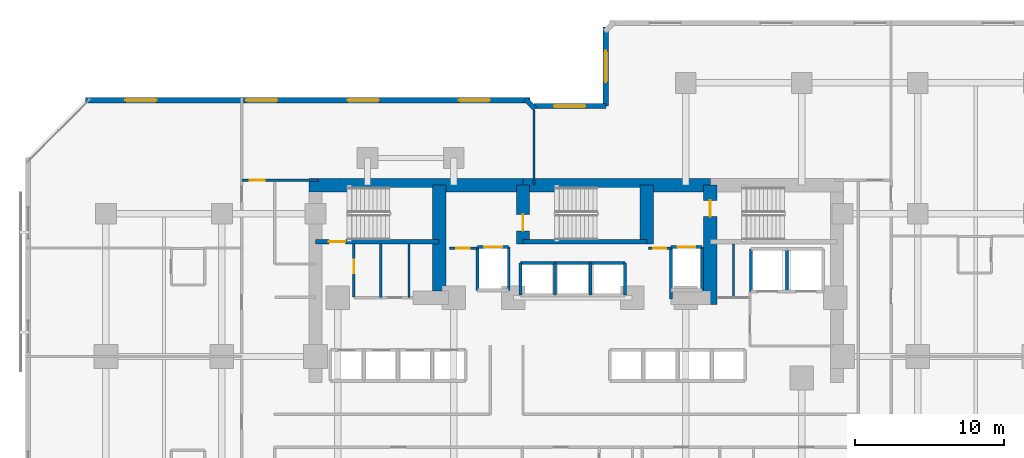
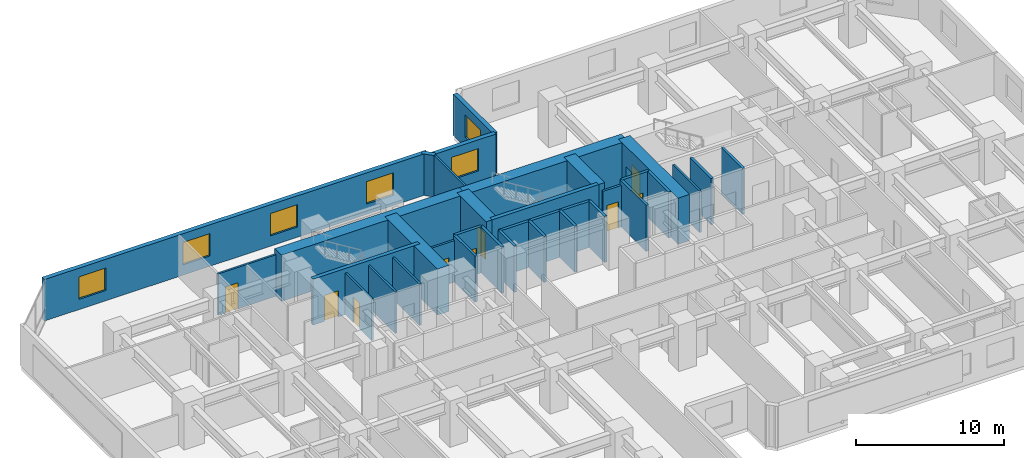
# One storey, part 7 of 11: 35 walls, 9 doors, 6 windows, 15 openings.
"""IFC4 building model written with IfcOpenShell, lengths in metres."""

from ifc_helpers import new_model, si_unit, direction, frame, frame_2d, origin, place, context, subcontext, project, spatial, rectangle, extrude, material, layer, layer_set, type_object, element, fill, save


model = new_model("IFC4")

# Units and contexts
model_context = context("Model", 3, precision=1e-05, world=origin(), true_north=direction((0.0, 1.0)))
body_context = subcontext(model_context, "Body", "Model", "MODEL_VIEW")
ifc_project = project(units=[si_unit("LENGTHUNIT", "METRE"), si_unit("AREAUNIT", "SQUARE_METRE"), si_unit("VOLUMEUNIT", "CUBIC_METRE"), si_unit("PLANEANGLEUNIT", "RADIAN"), si_unit("MASSUNIT", "GRAM", prefix="KILO")], contexts=[model_context])

# Site, building, storey
site_placement = place(None, origin())
site = spatial("IfcSite", under=ifc_project, at=site_placement, CompositionType="ELEMENT")
building_placement = place(site_placement, origin())
building = spatial("IfcBuilding", under=site, at=building_placement, Name="Kestravale Grand Hotel", CompositionType="ELEMENT")
storey_placement = place(building_placement, frame((0.0, 0.0, 71.60009765625)))
storey = spatial("IfcBuildingStorey", under=building, at=storey_placement, Name="L17", CompositionType="ELEMENT", Elevation=71.60009765625)

# Walls
ifc_material_1 = material(Name="Concrete f'c 70 MPa", Category="concrete")
ifc_layer_1 = layer(ifc_material_1, 0.89990234375)
ifc_layer_set_1 = layer_set([ifc_layer_1], Name="EW-CORE-900")
wall_type_1 = type_object("IfcWallType", Name="EW-CORE-900", PredefinedType="SHEAR", material=ifc_layer_set_1)
wall_1_placement = place(storey_placement, frame((21.449951171875, 40.320068359375, 0.0), z_axis=(0.0, 0.0, 1.0), x_axis=(1.0, 0.0, 0.0)))
element("IfcWall", 1, at=wall_1_placement, inside=storey, type_object=wall_type_1, Name="L17 core shear wall N1", PredefinedType="SHEAR", context=body_context, shape_type="SweptSolid", body=[
    extrude(rectangle(XDim=14.400146484375, YDim=0.89990234375, at=frame_2d((7.2001953125, 0.0))), origin(), (0.0, 0.0, 1.0), 3.7998046875),
])
wall_2_placement = place(storey_placement, frame((35.85009765625, 40.320068359375, 0.0), z_axis=(0.0, 0.0, 1.0), x_axis=(1.0, 0.0, 0.0)))
element("IfcWall", 2, at=wall_2_placement, inside=storey, type_object=wall_type_1, Name="L17 core shear wall N2", PredefinedType="SHEAR", context=body_context, shape_type="SweptSolid", body=[
    extrude(rectangle(XDim=12.599853515625, YDim=0.89990234375, at=frame_2d((6.2998046875, 0.0))), origin(), (0.0, 0.0, 1.0), 3.7998046875),
])
wall_3_placement = place(storey_placement, frame((30.219970703125, 33.199951171875, 0.0), z_axis=(0.0, 0.0, 1.0), x_axis=(0.0, 1.0, 0.0)))
element("IfcWall", 3, at=wall_3_placement, inside=storey, type_object=wall_type_1, Name="L17 core shear wall X1", PredefinedType="SHEAR", context=body_context, shape_type="SweptSolid", body=[
    extrude(rectangle(XDim=7.1201171875, YDim=0.89990234375, at=frame_2d((3.56005859375, 0.0))), origin(), (0.0, 0.0, 1.0), 3.7998046875),
])

# Wall, opening, door
wall_4_placement = place(storey_placement, frame((35.85009765625, 36.3701171875, 0.0), z_axis=(0.0, 0.0, 1.0), x_axis=(0.0, 1.0, 0.0)))
wall_4 = element("IfcWall", 4, at=wall_4_placement, inside=storey, type_object=wall_type_1, Name="L17 core shear wall X2", PredefinedType="SHEAR", context=body_context, shape_type="SweptSolid", body=[
    extrude(rectangle(XDim=3.949951171875, YDim=0.89990234375, at=frame_2d((1.97509765625, 0.0))), origin(), (0.0, 0.0, 1.0), 3.7998046875),
])
opening_1_placement = place(wall_4_placement, frame((0.8798828125, 0.0, 0.0)))
opening_1 = element("IfcOpeningElement", 5, at=opening_1_placement, cuts=wall_4, Name="Opening D-ST-1100", PredefinedType="OPENING", context=body_context, shape_type="SweptSolid", body=[
    extrude(rectangle(XDim=1.10009765625, YDim=2.14990234375, at=frame_2d((0.550048828125, 1.074951171875))), frame((0.0, 0.4599609375, 0.0), z_axis=(0.0, -1.0, 0.0), x_axis=(1.0, 0.0, 0.0)), (0.0, 0.0, 1.0), 0.919921875),
])
ifc_material_2 = material(Name="Galvanised 90-minute fire-rated steel stair door", Category="steel")
door_type_1 = type_object("IfcDoorType", Name="D-ST-1100", OperationType="NOTDEFINED", PredefinedType="DOOR", material=ifc_material_2)
door_1_placement = place(opening_1_placement, origin())
door_1 = element("IfcDoor", 6, at=door_1_placement, inside=storey, type_object=door_type_1, Name="L17 Stair ST-2 FSAE fire door", OperationType="SINGLE_SWING_RIGHT", OverallHeight=2.14990234375, OverallWidth=1.10009765625, PredefinedType="DOOR", context=body_context, shape_type="SweptSolid", body=[
    extrude(rectangle(XDim=1.10009765625, YDim=2.14990234375, at=frame_2d((0.550048828125, 1.074951171875))), frame((0.0, 0.02490234375, 0.0), z_axis=(0.0, -1.0, 0.0), x_axis=(1.0, 0.0, 0.0)), (0.0, 0.0, 1.0), 0.050048828125),
])
fill(opening_1, door_1)

# Wall
wall_5_placement = place(storey_placement, frame((44.179931640625, 36.3701171875, 0.0), z_axis=(0.0, 0.0, 1.0), x_axis=(0.0, 1.0, 0.0)))
element("IfcWall", 7, at=wall_5_placement, inside=storey, type_object=wall_type_1, Name="L17 core shear wall X3", PredefinedType="SHEAR", context=body_context, shape_type="SweptSolid", body=[
    extrude(rectangle(XDim=3.949951171875, YDim=0.89990234375, at=frame_2d((1.97509765625, 0.0))), origin(), (0.0, 0.0, 1.0), 3.7998046875),
])

# Wall, opening, door
wall_6_placement = place(storey_placement, frame((48.449951171875, 32.300048828125, 0.0), z_axis=(0.0, 0.0, 1.0), x_axis=(0.0, 1.0, 0.0)))
wall_6 = element("IfcWall", 8, at=wall_6_placement, inside=storey, type_object=wall_type_1, Name="L17 core shear wall X4", PredefinedType="SHEAR", context=body_context, shape_type="SweptSolid", body=[
    extrude(rectangle(XDim=8.02001953125, YDim=0.89990234375, at=frame_2d((4.010009765625, 0.0))), origin(), (0.0, 0.0, 1.0), 3.7998046875),
])
opening_2_placement = place(wall_6_placement, frame((5.89990234375, 0.0, 0.0)))
opening_2 = element("IfcOpeningElement", 9, at=opening_2_placement, cuts=wall_6, Name="Opening D-ST-1100", PredefinedType="OPENING", context=body_context, shape_type="SweptSolid", body=[
    extrude(rectangle(XDim=1.10009765625, YDim=2.14990234375, at=frame_2d((0.550048828125, 1.074951171875))), frame((0.0, 0.4599609375, 0.0), z_axis=(0.0, -1.0, 0.0), x_axis=(1.0, 0.0, 0.0)), (0.0, 0.0, 1.0), 0.919921875),
])
door_2_placement = place(opening_2_placement, origin())
door_2 = element("IfcDoor", 10, at=door_2_placement, inside=storey, type_object=door_type_1, Name="L17 Stair ST-3 FSAE fire door", OperationType="SINGLE_SWING_RIGHT", OverallHeight=2.14990234375, OverallWidth=1.10009765625, PredefinedType="DOOR", context=body_context, shape_type="SweptSolid", body=[
    extrude(rectangle(XDim=1.10009765625, YDim=2.14990234375, at=frame_2d((0.550048828125, 1.074951171875))), frame((0.0, 0.02490234375, 0.0), z_axis=(0.0, -1.0, 0.0), x_axis=(1.0, 0.0, 0.0)), (0.0, 0.0, 1.0), 0.050048828125),
])
fill(opening_2, door_2)

# Wall, opening, window
ifc_material_3 = material(Name="Precast concrete f'c 45 MPa", Category="concrete")
ifc_layer_2 = layer(ifc_material_3, 0.340087890625)
ifc_layer_set_2 = layer_set([ifc_layer_2], Name="EW-PREC-340")
wall_type_2 = type_object("IfcWallType", Name="EW-PREC-340", PredefinedType="SOLIDWALL", material=ifc_layer_set_2)
wall_7_placement = place(storey_placement, frame((41.419921875, 50.969970703125, 0.0), z_axis=(0.0, 0.0, 1.0), x_axis=(0.0, -1.0, 0.0)))
wall_7 = element("IfcWall", 11, at=wall_7_placement, inside=storey, type_object=wall_type_2, Name="L17 fluted precast facade wall 13", PredefinedType="SOLIDWALL", context=body_context, shape_type="SweptSolid", body=[
    extrude(rectangle(XDim=5.340087890625, YDim=0.340087890625, at=frame_2d((2.669921875, 0.0))), origin(), (0.0, 0.0, 1.0), 3.419921875),
])
opening_3_placement = place(wall_7_placement, frame((1.6201171875, 0.0, 0.85009765625)))
opening_3 = element("IfcOpeningElement", 12, at=opening_3_placement, cuts=wall_7, Name="Opening W-GUEST-2100", PredefinedType="OPENING", context=body_context, shape_type="SweptSolid", body=[
    extrude(rectangle(XDim=2.10009765625, YDim=1.85009765625, at=frame_2d((1.050048828125, 0.925048828125))), frame((0.0, 0.179931640625, 0.0), z_axis=(0.0, -1.0, 0.0), x_axis=(1.0, 0.0, 0.0)), (0.0, 0.0, 1.0), 0.360107421875),
])
ifc_material_4 = material(Name="Insulated low-E double glazing in aluminium frame", Category="aluminium")
window_type = type_object("IfcWindowType", Name="W-GUEST-2100", PartitioningType="DOUBLE_PANEL_VERTICAL", PredefinedType="WINDOW", material=ifc_material_4)
window_1_placement = place(opening_3_placement, origin())
window_1 = element("IfcWindow", 13, at=window_1_placement, inside=storey, type_object=window_type, Name="L17 exterior window 13.1", OverallHeight=1.85009765625, OverallWidth=2.10009765625, PartitioningType="SINGLE_PANEL", PredefinedType="WINDOW", context=body_context, shape_type="SweptSolid", body=[
    extrude(rectangle(XDim=2.10009765625, YDim=1.85009765625, at=frame_2d((1.050048828125, 0.925048828125))), frame((0.0, 0.030029296875, 0.0), z_axis=(0.0, -1.0, 0.0), x_axis=(1.0, 0.0, 0.0)), (0.0, 0.0, 1.0), 0.06005859375),
])
fill(opening_3, window_1)

wall_8_placement = place(storey_placement, frame((41.419921875, 45.6298828125, 0.0), z_axis=(0.0, 0.0, 1.0), x_axis=(-1.0, 0.0, 0.0)))
wall_8 = element("IfcWall", 14, at=wall_8_placement, inside=storey, type_object=wall_type_2, Name="L17 fluted precast facade wall 14", PredefinedType="SOLIDWALL", context=body_context, shape_type="SweptSolid", body=[
    extrude(rectangle(XDim=4.83984375, YDim=0.340087890625, at=frame_2d((2.419921875, 0.0))), origin(), (0.0, 0.0, 1.0), 3.419921875),
])
opening_4_placement = place(wall_8_placement, frame((1.3701171875, 0.0, 0.85009765625)))
opening_4 = element("IfcOpeningElement", 15, at=opening_4_placement, cuts=wall_8, Name="Opening W-GUEST-2100", PredefinedType="OPENING", context=body_context, shape_type="SweptSolid", body=[
    extrude(rectangle(XDim=2.10009765625, YDim=1.85009765625, at=frame_2d((1.050048828125, 0.925048828125))), frame((0.0, 0.179931640625, 0.0), z_axis=(0.0, -1.0, 0.0), x_axis=(1.0, 0.0, 0.0)), (0.0, 0.0, 1.0), 0.360107421875),
])
window_2_placement = place(opening_4_placement, origin())
window_2 = element("IfcWindow", 16, at=window_2_placement, inside=storey, type_object=window_type, Name="L17 exterior window 14.1", OverallHeight=1.85009765625, OverallWidth=2.10009765625, PartitioningType="SINGLE_PANEL", PredefinedType="WINDOW", context=body_context, shape_type="SweptSolid", body=[
    extrude(rectangle(XDim=2.10009765625, YDim=1.85009765625, at=frame_2d((1.050048828125, 0.925048828125))), frame((0.0, 0.030029296875, 0.0), z_axis=(0.0, -1.0, 0.0), x_axis=(1.0, 0.0, 0.0)), (0.0, 0.0, 1.0), 0.06005859375),
])
fill(opening_4, window_2)

# Wall
wall_9_placement = place(storey_placement, frame((36.658203125, 45.451416015625, 0.0), z_axis=(0.0, 0.0, 1.0), x_axis=(-0.707106781187, 0.707106781187, 0.0)))
element("IfcWall", 17, at=wall_9_placement, inside=storey, type_object=wall_type_2, Name="L17 fluted precast facade wall 16", PredefinedType="SOLIDWALL", context=body_context, shape_type="SweptSolid", body=[
    extrude(rectangle(XDim=0.9287109375, YDim=0.340087890625, at=frame_2d((0.46435546875, 0.0))), origin(), (0.0, 0.0, 1.0), 3.419921875),
])

# Wall, openings, windows
wall_10_placement = place(storey_placement, frame((36.320068359375, 46.030029296875, 0.0), z_axis=(0.0, 0.0, 1.0), x_axis=(-1.0, 0.0, 0.0)))
wall_10 = element("IfcWall", 18, at=wall_10_placement, inside=storey, type_object=wall_type_2, Name="L17 fluted precast facade wall 17", PredefinedType="SOLIDWALL", context=body_context, shape_type="SweptSolid", body=[
    extrude(rectangle(XDim=29.89013671875, YDim=0.340087890625, at=frame_2d((14.945068359375, 0.0))), origin(), (0.0, 0.0, 1.0), 3.419921875),
])
opening_5_placement = place(wall_10_placement, frame((2.686279296875, 0.0, 0.85009765625)))
opening_5 = element("IfcOpeningElement", 19, at=opening_5_placement, cuts=wall_10, Name="Opening W-GUEST-2100", PredefinedType="OPENING", context=body_context, shape_type="SweptSolid", body=[
    extrude(rectangle(XDim=2.10009765625, YDim=1.85009765625, at=frame_2d((1.050048828125, 0.925048828125))), frame((0.0, 0.179931640625, 0.0), z_axis=(0.0, -1.0, 0.0), x_axis=(1.0, 0.0, 0.0)), (0.0, 0.0, 1.0), 0.360107421875),
])
opening_6_placement = place(wall_10_placement, frame((10.15869140625, 0.0, 0.85009765625)))
opening_6 = element("IfcOpeningElement", 20, at=opening_6_placement, cuts=wall_10, Name="Opening W-GUEST-2100", PredefinedType="OPENING", context=body_context, shape_type="SweptSolid", body=[
    extrude(rectangle(XDim=2.10009765625, YDim=1.85009765625, at=frame_2d((1.050048828125, 0.925048828125))), frame((0.0, 0.179931640625, 0.0), z_axis=(0.0, -1.0, 0.0), x_axis=(1.0, 0.0, 0.0)), (0.0, 0.0, 1.0), 0.360107421875),
])
opening_7_placement = place(wall_10_placement, frame((16.981201171875, 0.0, 0.85009765625)))
opening_7 = element("IfcOpeningElement", 21, at=opening_7_placement, cuts=wall_10, Name="Opening W-GUEST-2100", PredefinedType="OPENING", context=body_context, shape_type="SweptSolid", body=[
    extrude(rectangle(XDim=2.10009765625, YDim=1.85009765625, at=frame_2d((1.050048828125, 0.925048828125))), frame((0.0, 0.179931640625, 0.0), z_axis=(0.0, -1.0, 0.0), x_axis=(1.0, 0.0, 0.0)), (0.0, 0.0, 1.0), 0.360107421875),
])
opening_8_placement = place(wall_10_placement, frame((25.103759765625, 0.0, 0.85009765625)))
opening_8 = element("IfcOpeningElement", 22, at=opening_8_placement, cuts=wall_10, Name="Opening W-GUEST-2100", PredefinedType="OPENING", context=body_context, shape_type="SweptSolid", body=[
    extrude(rectangle(XDim=2.10009765625, YDim=1.85009765625, at=frame_2d((1.050048828125, 0.925048828125))), frame((0.0, 0.179931640625, 0.0), z_axis=(0.0, -1.0, 0.0), x_axis=(1.0, 0.0, 0.0)), (0.0, 0.0, 1.0), 0.360107421875),
])
window_3_placement = place(opening_5_placement, origin())
window_3 = element("IfcWindow", 23, at=window_3_placement, inside=storey, type_object=window_type, Name="L17 exterior window 17.1", OverallHeight=1.85009765625, OverallWidth=2.10009765625, PartitioningType="SINGLE_PANEL", PredefinedType="WINDOW", context=body_context, shape_type="SweptSolid", body=[
    extrude(rectangle(XDim=2.10009765625, YDim=1.85009765625, at=frame_2d((1.050048828125, 0.925048828125))), frame((0.0, 0.030029296875, 0.0), z_axis=(0.0, -1.0, 0.0), x_axis=(1.0, 0.0, 0.0)), (0.0, 0.0, 1.0), 0.06005859375),
])
fill(opening_5, window_3)
window_4_placement = place(opening_6_placement, origin())
window_4 = element("IfcWindow", 24, at=window_4_placement, inside=storey, type_object=window_type, Name="L17 exterior window 17.2", OverallHeight=1.85009765625, OverallWidth=2.10009765625, PartitioningType="SINGLE_PANEL", PredefinedType="WINDOW", context=body_context, shape_type="SweptSolid", body=[
    extrude(rectangle(XDim=2.10009765625, YDim=1.85009765625, at=frame_2d((1.050048828125, 0.925048828125))), frame((0.0, 0.030029296875, 0.0), z_axis=(0.0, -1.0, 0.0), x_axis=(1.0, 0.0, 0.0)), (0.0, 0.0, 1.0), 0.06005859375),
])
fill(opening_6, window_4)
window_5_placement = place(opening_7_placement, origin())
window_5 = element("IfcWindow", 25, at=window_5_placement, inside=storey, type_object=window_type, Name="L17 exterior window 17.3", OverallHeight=1.85009765625, OverallWidth=2.10009765625, PartitioningType="SINGLE_PANEL", PredefinedType="WINDOW", context=body_context, shape_type="SweptSolid", body=[
    extrude(rectangle(XDim=2.10009765625, YDim=1.85009765625, at=frame_2d((1.050048828125, 0.925048828125))), frame((0.0, 0.030029296875, 0.0), z_axis=(0.0, -1.0, 0.0), x_axis=(1.0, 0.0, 0.0)), (0.0, 0.0, 1.0), 0.06005859375),
])
fill(opening_7, window_5)
window_6_placement = place(opening_8_placement, origin())
window_6 = element("IfcWindow", 26, at=window_6_placement, inside=storey, type_object=window_type, Name="L17 exterior window 17.4", OverallHeight=1.85009765625, OverallWidth=2.10009765625, PartitioningType="SINGLE_PANEL", PredefinedType="WINDOW", context=body_context, shape_type="SweptSolid", body=[
    extrude(rectangle(XDim=2.10009765625, YDim=1.85009765625, at=frame_2d((1.050048828125, 0.925048828125))), frame((0.0, 0.030029296875, 0.0), z_axis=(0.0, -1.0, 0.0), x_axis=(1.0, 0.0, 0.0)), (0.0, 0.0, 1.0), 0.06005859375),
])
fill(opening_8, window_6)

# Wall, opening, door
ifc_material_5 = material(Name="Concrete f'c 45 MPa", Category="concrete")
ifc_layer_3 = layer(ifc_material_5, 0.300048828125)
ifc_layer_set_3 = layer_set([ifc_layer_3], Name="EW-STAIR-300")
wall_type_3 = type_object("IfcWallType", Name="EW-STAIR-300", PredefinedType="SHEAR", material=ifc_layer_set_3)
wall_11_placement = place(storey_placement, frame((21.89990234375, 36.52001953125, 0.0), z_axis=(0.0, 0.0, 1.0), x_axis=(1.0, 0.0, 0.0)))
wall_11 = element("IfcWall", 27, at=wall_11_placement, inside=storey, type_object=wall_type_3, Name="L17 stair enclosure shear wall SST1", PredefinedType="SHEAR", context=body_context, shape_type="SweptSolid", body=[
    extrude(rectangle(XDim=8.320068359375, YDim=0.300048828125, at=frame_2d((4.16015625, 0.0))), origin(), (0.0, 0.0, 1.0), 3.7998046875),
])
opening_9_placement = place(wall_11_placement, frame((0.89990234375, 0.0, 0.0)))
opening_9 = element("IfcOpeningElement", 28, at=opening_9_placement, cuts=wall_11, Name="Opening D-ST-1100", PredefinedType="OPENING", context=body_context, shape_type="SweptSolid", body=[
    extrude(rectangle(XDim=1.10009765625, YDim=2.14990234375, at=frame_2d((0.550048828125, 1.074951171875))), frame((0.0, 0.159912109375, 0.0), z_axis=(0.0, -1.0, 0.0), x_axis=(1.0, 0.0, 0.0)), (0.0, 0.0, 1.0), 0.320068359375),
])
door_3_placement = place(opening_9_placement, origin())
door_3 = element("IfcDoor", 29, at=door_3_placement, inside=storey, type_object=door_type_1, Name="L17 Stair ST-1 fire door", OperationType="SINGLE_SWING_RIGHT", OverallHeight=2.14990234375, OverallWidth=1.10009765625, PredefinedType="DOOR", context=body_context, shape_type="SweptSolid", body=[
    extrude(rectangle(XDim=1.10009765625, YDim=2.14990234375, at=frame_2d((0.550048828125, 1.074951171875))), frame((0.0, 0.02490234375, 0.0), z_axis=(0.0, -1.0, 0.0), x_axis=(1.0, 0.0, 0.0)), (0.0, 0.0, 1.0), 0.050048828125),
])
fill(opening_9, door_3)

# Wall
wall_12_placement = place(storey_placement, frame((35.85009765625, 36.52001953125, 0.0), z_axis=(0.0, 0.0, 1.0), x_axis=(1.0, 0.0, 0.0)))
element("IfcWall", 30, at=wall_12_placement, inside=storey, type_object=wall_type_3, Name="L17 stair enclosure shear wall SST2", PredefinedType="SHEAR", context=body_context, shape_type="SweptSolid", body=[
    extrude(rectangle(XDim=8.329833984375, YDim=0.300048828125, at=frame_2d((4.1650390625, 0.0))), origin(), (0.0, 0.0, 1.0), 3.7998046875),
])

# Wall, opening, door
ifc_material_6 = material(Name="Acoustic fire-rated gypsum board partition", Category="other")
ifc_layer_4 = layer(ifc_material_6, 0.159912109375)
ifc_layer_set_4 = layer_set([ifc_layer_4], Name="IW-CORR-160")
wall_type_4 = type_object("IfcWallType", Name="IW-CORR-160", PredefinedType="PARTITIONING", material=ifc_layer_set_4)
wall_13_placement = place(storey_placement, frame((24.47998046875, 32.800048828125, 0.0), z_axis=(0.0, 0.0, 1.0), x_axis=(0.0, 1.0, 0.0)))
wall_13 = element("IfcWall", 31, at=wall_13_placement, inside=storey, type_object=wall_type_4, Name="L17 west core vestibule wall", PredefinedType="PARTITIONING", context=body_context, shape_type="SweptSolid", body=[
    extrude(rectangle(XDim=3.570068359375, YDim=0.159912109375, at=frame_2d((1.78515625, 0.0))), origin(), (0.0, 0.0, 1.0), 3.419921875),
])
opening_10_placement = place(wall_13_placement, frame((1.603515625, 0.0, 0.0)))
opening_10 = element("IfcOpeningElement", 32, at=opening_10_placement, cuts=wall_13, Name="Opening D-SH-900", PredefinedType="OPENING", context=body_context, shape_type="SweptSolid", body=[
    extrude(rectangle(XDim=0.89990234375, YDim=2.10009765625, at=frame_2d((0.449951171875, 1.050048828125))), frame((0.0, 0.08984375, 0.0), z_axis=(0.0, -1.0, 0.0), x_axis=(1.0, 0.0, 0.0)), (0.0, 0.0, 1.0), 0.179931640625),
])
ifc_material_7 = material(Name="Galvanised 90-minute shaft and service fire door", Category="steel")
door_type_2 = type_object("IfcDoorType", Name="D-SH-900", OperationType="NOTDEFINED", PredefinedType="DOOR", material=ifc_material_7)
door_4_placement = place(opening_10_placement, origin())
door_4 = element("IfcDoor", 33, at=door_4_placement, inside=storey, type_object=door_type_2, Name="D-L17-HK", OperationType="SINGLE_SWING_RIGHT", OverallHeight=2.10009765625, OverallWidth=0.89990234375, PredefinedType="DOOR", context=body_context, shape_type="SweptSolid", body=[
    extrude(rectangle(XDim=0.89990234375, YDim=2.10009765625, at=frame_2d((0.449951171875, 1.050048828125))), frame((0.0, 0.02490234375, 0.0), z_axis=(0.0, -1.0, 0.0), x_axis=(1.0, 0.0, 0.0)), (0.0, 0.0, 1.0), 0.050048828125),
])
fill(opening_10, door_4)

ifc_material_8 = material(Name="Fire-rated gypsum board on steel studs with mineral wool", Category="steel")
ifc_layer_5 = layer(ifc_material_8, 0.179931640625)
ifc_layer_set_5 = layer_set([ifc_layer_5], Name="IW-FSAE-180")
wall_type_5 = type_object("IfcWallType", Name="IW-FSAE-180", PredefinedType="PARTITIONING", material=ifc_layer_set_5)
wall_14_placement = place(storey_placement, frame((30.89990234375, 36.080078125, 0.0), z_axis=(0.0, 0.0, 1.0), x_axis=(1.0, 0.0, 0.0)))
wall_14 = element("IfcWall", 34, at=wall_14_placement, inside=storey, type_object=wall_type_5, Name="L17 FSAE Lobby 1 smoke barrier", PredefinedType="PARTITIONING", context=body_context, shape_type="SweptSolid", body=[
    extrude(rectangle(XDim=1.85009765625, YDim=0.179931640625, at=frame_2d((0.925048828125, 0.0))), origin(), (0.0, 0.0, 1.0), 3.419921875),
])
opening_11_placement = place(wall_14_placement, frame((0.47998046875, 0.0, 0.0)))
opening_11 = element("IfcOpeningElement", 35, at=opening_11_placement, cuts=wall_14, Name="Opening D-FSAE-1000", PredefinedType="OPENING", context=body_context, shape_type="SweptSolid", body=[
    extrude(rectangle(XDim=0.89990234375, YDim=2.14990234375, at=frame_2d((0.449951171875, 1.074951171875))), frame((0.0, 0.099853515625, 0.0), z_axis=(0.0, -1.0, 0.0), x_axis=(1.0, 0.0, 0.0)), (0.0, 0.0, 1.0), 0.199951171875),
])
ifc_material_9 = material(Name="Smoke-gasketed FSAE lobby fire door", Category="steel")
door_type_3 = type_object("IfcDoorType", Name="D-FSAE-1000", OperationType="NOTDEFINED", PredefinedType="DOOR", material=ifc_material_9)
door_5_placement = place(opening_11_placement, origin())
door_5 = element("IfcDoor", 36, at=door_5_placement, inside=storey, type_object=door_type_3, Name="L17 FSAE Lobby 1 fire door", OperationType="SINGLE_SWING_RIGHT", OverallHeight=2.14990234375, OverallWidth=0.89990234375, PredefinedType="DOOR", context=body_context, shape_type="SweptSolid", body=[
    extrude(rectangle(XDim=0.89990234375, YDim=2.14990234375, at=frame_2d((0.449951171875, 1.074951171875))), frame((0.0, 0.02490234375, 0.0), z_axis=(0.0, -1.0, 0.0), x_axis=(1.0, 0.0, 0.0)), (0.0, 0.0, 1.0), 0.050048828125),
])
fill(opening_11, door_5)

wall_15_placement = place(storey_placement, frame((44.300048828125, 36.080078125, 0.0), z_axis=(0.0, 0.0, 1.0), x_axis=(1.0, 0.0, 0.0)))
wall_15 = element("IfcWall", 37, at=wall_15_placement, inside=storey, type_object=wall_type_5, Name="L17 FSAE Lobby 2 smoke barrier", PredefinedType="PARTITIONING", context=body_context, shape_type="SweptSolid", body=[
    extrude(rectangle(XDim=1.5, YDim=0.179931640625, at=frame_2d((0.75, 0.0))), origin(), (0.0, 0.0, 1.0), 3.419921875),
])
opening_12_placement = place(wall_15_placement, frame((0.300048828125, 0.0, 0.0)))
opening_12 = element("IfcOpeningElement", 38, at=opening_12_placement, cuts=wall_15, Name="Opening D-FSAE-1000", PredefinedType="OPENING", context=body_context, shape_type="SweptSolid", body=[
    extrude(rectangle(XDim=0.89990234375, YDim=2.14990234375, at=frame_2d((0.449951171875, 1.074951171875))), frame((0.0, 0.099853515625, 0.0), z_axis=(0.0, -1.0, 0.0), x_axis=(1.0, 0.0, 0.0)), (0.0, 0.0, 1.0), 0.199951171875),
])
door_6_placement = place(opening_12_placement, origin())
door_6 = element("IfcDoor", 39, at=door_6_placement, inside=storey, type_object=door_type_3, Name="L17 FSAE Lobby 2 fire door", OperationType="SINGLE_SWING_LEFT", OverallHeight=2.14990234375, OverallWidth=0.89990234375, PredefinedType="DOOR", context=body_context, shape_type="SweptSolid", body=[
    extrude(rectangle(XDim=0.89990234375, YDim=2.14990234375, at=frame_2d((0.449951171875, 1.074951171875))), frame((0.0, 0.02490234375, 0.0), z_axis=(0.0, -1.0, 0.0), x_axis=(1.0, 0.0, 0.0)), (0.0, 0.0, 1.0), 0.050048828125),
])
fill(opening_12, door_6)

# Walls
ifc_material_10 = material(Name="Concrete f'c 45 MPa", Category="concrete")
ifc_layer_6 = layer(ifc_material_10, 0.199951171875)
ifc_layer_set_6 = layer_set([ifc_layer_6], Name="IW-SHAFT-200")
wall_type_6 = type_object("IfcWallType", Name="IW-SHAFT-200", PredefinedType="SHEAR", material=ifc_layer_set_6)
for number, where, z_axis, x_axis, name in (
    (40, (35.679931640625, 32.919921875, 0.0), (0.0, 0.0, 1.0), (0.0, 1.0, 0.0), "L17 PL-X1 west shaft wall"),
    (41, (38.0, 32.919921875, 0.0), (0.0, 0.0, 1.0), (0.0, 1.0, 0.0), "L17 PL-X2 west shaft wall"),
    (42, (40.39990234375, 32.919921875, 0.0), (0.0, 0.0, 1.0), (0.0, 1.0, 0.0), "L17 PL-X3 west shaft wall"),
    (43, (42.719970703125, 32.919921875, 0.0), (0.0, 0.0, 1.0), (0.0, 1.0, 0.0), "L17 PL-X3 east shaft wall"),
):
    element("IfcWall", number, at=place(storey_placement, frame(where, z_axis=z_axis, x_axis=x_axis)), inside=storey, type_object=wall_type_6, Name=name, PredefinedType="SHEAR", context=body_context, shape_type="SweptSolid", body=[
        extrude(rectangle(XDim=2.16015625, YDim=0.199951171875, at=frame_2d((1.080078125, 0.0))), origin(), (0.0, 0.0, 1.0), 3.7998046875),
    ])
for number, where, z_axis, x_axis, name in (
    (44, (51.179931640625, 33.169921875, 0.0), (0.0, 0.0, 1.0), (0.0, 1.0, 0.0), "L17 SL-1 west shaft wall"),
    (45, (53.60009765625, 33.169921875, 0.0), (0.0, 0.0, 1.0), (0.0, 1.0, 0.0), "L17 SL-2 west shaft wall"),
):
    element("IfcWall", number, at=place(storey_placement, frame(where, z_axis=z_axis, x_axis=x_axis)), inside=storey, type_object=wall_type_6, Name=name, PredefinedType="SHEAR", context=body_context, shape_type="SweptSolid", body=[
        extrude(rectangle(XDim=2.860107421875, YDim=0.199951171875, at=frame_2d((1.43017578125, 0.0))), origin(), (0.0, 0.0, 1.0), 3.7998046875),
    ])
for number, where, z_axis, x_axis, name in (
    (46, (32.804931640625, 33.2451171875, 0.0), (0.0, 0.0, 1.0), (0.0, 1.0, 0.0), "L17 FL-1 west shaft wall"),
    (47, (34.89501953125, 33.2451171875, 0.0), (0.0, 0.0, 1.0), (0.0, 1.0, 0.0), "L17 FL-1 east shaft wall"),
):
    element("IfcWall", number, at=place(storey_placement, frame(where, z_axis=z_axis, x_axis=x_axis)), inside=storey, type_object=wall_type_6, Name=name, PredefinedType="SHEAR", context=body_context, shape_type="SweptSolid", body=[
        extrude(rectangle(XDim=2.909912109375, YDim=0.199951171875, at=frame_2d((1.455078125, 0.0))), origin(), (0.0, 0.0, 1.0), 3.7998046875),
    ])
wall_16_placement = place(storey_placement, frame((45.804931640625, 32.64990234375, 0.0), z_axis=(0.0, 0.0, 1.0), x_axis=(0.0, 1.0, 0.0)))
element("IfcWall", 48, at=wall_16_placement, inside=storey, type_object=wall_type_6, Name="L17 FL-2 west shaft wall", PredefinedType="SHEAR", context=body_context, shape_type="SweptSolid", body=[
    extrude(rectangle(XDim=3.505126953125, YDim=0.199951171875, at=frame_2d((1.75244140625, 0.0))), origin(), (0.0, 0.0, 1.0), 3.7998046875),
])
wall_17_placement = place(storey_placement, frame((47.89501953125, 33.2451171875, 0.0), z_axis=(0.0, 0.0, 1.0), x_axis=(0.0, 1.0, 0.0)))
element("IfcWall", 49, at=wall_17_placement, inside=storey, type_object=wall_type_6, Name="L17 FL-2 east shaft wall", PredefinedType="SHEAR", context=body_context, shape_type="SweptSolid", body=[
    extrude(rectangle(XDim=2.909912109375, YDim=0.199951171875, at=frame_2d((1.455078125, 0.0))), origin(), (0.0, 0.0, 1.0), 3.7998046875),
])
ifc_material_11 = material(Name="Concrete f'c 45 MPa", Category="concrete")
ifc_layer_7 = layer(ifc_material_11, 0.219970703125)
ifc_layer_set_7 = layer_set([ifc_layer_7], Name="IW-SHAFT-220")
wall_type_7 = type_object("IfcWallType", Name="IW-SHAFT-220", PredefinedType="SHEAR", material=ifc_layer_set_7)
wall_18_placement = place(storey_placement, frame((35.679931640625, 35.080078125, 0.0), z_axis=(0.0, 0.0, 1.0), x_axis=(1.0, 0.0, 0.0)))
element("IfcWall", 50, at=wall_18_placement, inside=storey, type_object=wall_type_7, Name="L17 PL-X1 north shaft wall", PredefinedType="SHEAR", context=body_context, shape_type="SweptSolid", body=[
    extrude(rectangle(XDim=2.320068359375, YDim=0.219970703125, at=frame_2d((1.16015625, 0.0))), origin(), (0.0, 0.0, 1.0), 3.7998046875),
])
wall_19_placement = place(storey_placement, frame((38.0, 35.080078125, 0.0), z_axis=(0.0, 0.0, 1.0), x_axis=(1.0, 0.0, 0.0)))
element("IfcWall", 51, at=wall_19_placement, inside=storey, type_object=wall_type_7, Name="L17 PL-X2 north shaft wall", PredefinedType="SHEAR", context=body_context, shape_type="SweptSolid", body=[
    extrude(rectangle(XDim=2.39990234375, YDim=0.219970703125, at=frame_2d((1.199951171875, 0.0))), origin(), (0.0, 0.0, 1.0), 3.7998046875),
])
wall_20_placement = place(storey_placement, frame((40.39990234375, 35.080078125, 0.0), z_axis=(0.0, 0.0, 1.0), x_axis=(1.0, 0.0, 0.0)))
element("IfcWall", 52, at=wall_20_placement, inside=storey, type_object=wall_type_7, Name="L17 PL-X3 north shaft wall", PredefinedType="SHEAR", context=body_context, shape_type="SweptSolid", body=[
    extrude(rectangle(XDim=2.320068359375, YDim=0.219970703125, at=frame_2d((1.16015625, 0.0))), origin(), (0.0, 0.0, 1.0), 3.7998046875),
])

# Wall, opening, door
wall_21_placement = place(storey_placement, frame((32.804931640625, 36.155029296875, 0.0), z_axis=(0.0, 0.0, 1.0), x_axis=(1.0, 0.0, 0.0)))
wall_21 = element("IfcWall", 53, at=wall_21_placement, inside=storey, type_object=wall_type_7, Name="L17 FL-1 north shaft wall", PredefinedType="SHEAR", context=body_context, shape_type="SweptSolid", body=[
    extrude(rectangle(XDim=2.090087890625, YDim=0.219970703125, at=frame_2d((1.044921875, 0.0))), origin(), (0.0, 0.0, 1.0), 3.7998046875),
])
opening_13_placement = place(wall_21_placement, frame((0.445068359375, 0.0, 0.0)))
opening_13 = element("IfcOpeningElement", 54, at=opening_13_placement, cuts=wall_21, Name="Opening LD-FSAE-1200", PredefinedType="OPENING", context=body_context, shape_type="SweptSolid", body=[
    extrude(rectangle(XDim=1.199951171875, YDim=2.14990234375, at=frame_2d((0.60009765625, 1.074951171875))), frame((0.0, 0.119873046875, 0.0), z_axis=(0.0, -1.0, 0.0), x_axis=(1.0, 0.0, 0.0)), (0.0, 0.0, 1.0), 0.239990234375),
])
ifc_material_12 = material(Name="Stainless fire-service sliding elevator landing door", Category="steel")
door_type_4 = type_object("IfcDoorType", Name="LD-FSAE-1200", OperationType="NOTDEFINED", PredefinedType="DOOR", material=ifc_material_12)
door_7_placement = place(opening_13_placement, origin())
door_7 = element("IfcDoor", 55, at=door_7_placement, inside=storey, type_object=door_type_4, Name="L17 FL-1 elevator landing sliding door", OperationType="DOUBLE_DOOR_SLIDING", OverallHeight=2.14990234375, OverallWidth=1.199951171875, PredefinedType="DOOR", context=body_context, shape_type="SweptSolid", body=[
    extrude(rectangle(XDim=1.199951171875, YDim=2.14990234375, at=frame_2d((0.60009765625, 1.074951171875))), frame((0.0, 0.02490234375, 0.0), z_axis=(0.0, -1.0, 0.0), x_axis=(1.0, 0.0, 0.0)), (0.0, 0.0, 1.0), 0.050048828125),
])
fill(opening_13, door_7)

wall_22_placement = place(storey_placement, frame((45.804931640625, 36.155029296875, 0.0), z_axis=(0.0, 0.0, 1.0), x_axis=(1.0, 0.0, 0.0)))
wall_22 = element("IfcWall", 56, at=wall_22_placement, inside=storey, type_object=wall_type_7, Name="L17 FL-2 north shaft wall", PredefinedType="SHEAR", context=body_context, shape_type="SweptSolid", body=[
    extrude(rectangle(XDim=2.090087890625, YDim=0.219970703125, at=frame_2d((1.044921875, 0.0))), origin(), (0.0, 0.0, 1.0), 3.7998046875),
])
opening_14_placement = place(wall_22_placement, frame((0.445068359375, 0.0, 0.0)))
opening_14 = element("IfcOpeningElement", 57, at=opening_14_placement, cuts=wall_22, Name="Opening LD-FSAE-1200", PredefinedType="OPENING", context=body_context, shape_type="SweptSolid", body=[
    extrude(rectangle(XDim=1.199951171875, YDim=2.14990234375, at=frame_2d((0.60009765625, 1.074951171875))), frame((0.0, 0.119873046875, 0.0), z_axis=(0.0, -1.0, 0.0), x_axis=(1.0, 0.0, 0.0)), (0.0, 0.0, 1.0), 0.239990234375),
])
door_8_placement = place(opening_14_placement, origin())
door_8 = element("IfcDoor", 58, at=door_8_placement, inside=storey, type_object=door_type_4, Name="L17 FL-2 elevator landing sliding door", OperationType="DOUBLE_DOOR_SLIDING", OverallHeight=2.14990234375, OverallWidth=1.199951171875, PredefinedType="DOOR", context=body_context, shape_type="SweptSolid", body=[
    extrude(rectangle(XDim=1.199951171875, YDim=2.14990234375, at=frame_2d((0.60009765625, 1.074951171875))), frame((0.0, 0.02490234375, 0.0), z_axis=(0.0, -1.0, 0.0), x_axis=(1.0, 0.0, 0.0)), (0.0, 0.0, 1.0), 0.050048828125),
])
fill(opening_14, door_8)

# Walls
ifc_material_13 = material(Name="Double-stud STC 52 acoustic demising partition", Category="other")
ifc_layer_8 = layer(ifc_material_13, 0.14990234375)
ifc_layer_set_8 = layer_set([ifc_layer_8], Name="IW-UNIT-150")
wall_type_8 = type_object("IfcWallType", Name="IW-UNIT-150", PredefinedType="PARTITIONING", material=ifc_layer_set_8)
for number, where, z_axis, x_axis, name in (
    (59, (26.280029296875, 32.75, 0.0), (0.0, 0.0, 1.0), (0.0, 1.0, 0.0), "W-L17-CC1-1"),
    (60, (28.179931640625, 32.75, 0.0), (0.0, 0.0, 1.0), (0.0, 1.0, 0.0), "W-L17-CC1-2"),
    (61, (50.010009765625, 32.75, 0.0), (0.0, 0.0, 1.0), (0.0, 1.0, 0.0), "W-L17-CC1-EM"),
):
    element("IfcWall", number, at=place(storey_placement, frame(where, z_axis=z_axis, x_axis=x_axis)), inside=storey, type_object=wall_type_8, Name=name, PredefinedType="PARTITIONING", context=body_context, shape_type="SweptSolid", body=[
        extrude(rectangle(XDim=3.6201171875, YDim=0.14990234375, at=frame_2d((1.81005859375, 0.0))), origin(), (0.0, 0.0, 1.0), 3.419921875),
    ])

# Wall, opening, door
wall_23_placement = place(storey_placement, frame((16.93994140625, 40.64990234375, 0.0), z_axis=(0.0, 0.0, 1.0), x_axis=(1.0, 0.0, 0.0)))
wall_23 = element("IfcWall", 62, at=wall_23_placement, inside=storey, type_object=wall_type_8, Name="W-L17-SW-N", PredefinedType="PARTITIONING", context=body_context, shape_type="SweptSolid", body=[
    extrude(rectangle(XDim=5.16015625, YDim=0.14990234375, at=frame_2d((2.580078125, 0.0))), origin(), (0.0, 0.0, 1.0), 3.419921875),
])
opening_15_placement = place(wall_23_placement, frame((0.550048828125, 0.0, 0.0)))
opening_15 = element("IfcOpeningElement", 63, at=opening_15_placement, cuts=wall_23, Name="Opening D-GUEST-1000", PredefinedType="OPENING", context=body_context, shape_type="SweptSolid", body=[
    extrude(rectangle(XDim=1.0, YDim=2.14990234375, at=frame_2d((0.5, 1.074951171875))), frame((0.0, 0.0849609375, 0.0), z_axis=(0.0, -1.0, 0.0), x_axis=(1.0, 0.0, 0.0)), (0.0, 0.0, 1.0), 0.169921875),
])
ifc_material_14 = material(Name="Accessible walnut veneer hotel entrance fire door", Category="wood")
door_type_5 = type_object("IfcDoorType", Name="D-GUEST-1000", OperationType="NOTDEFINED", PredefinedType="DOOR", material=ifc_material_14)
door_9_placement = place(opening_15_placement, origin())
door_9 = element("IfcDoor", 64, at=door_9_placement, inside=storey, type_object=door_type_5, Name="L17 NW Gallery Door", OperationType="SINGLE_SWING_RIGHT", OverallHeight=2.14990234375, OverallWidth=1.0, PredefinedType="DOOR", context=body_context, shape_type="SweptSolid", body=[
    extrude(rectangle(XDim=1.0, YDim=2.14990234375, at=frame_2d((0.5, 1.074951171875))), frame((0.0, 0.02490234375, 0.0), z_axis=(0.0, -1.0, 0.0), x_axis=(1.0, 0.0, 0.0)), (0.0, 0.0, 1.0), 0.050048828125),
])
fill(opening_15, door_9)

# Wall
wall_24_placement = place(storey_placement, frame((36.60009765625, 40.320068359375, 0.0), z_axis=(0.0, 0.0, 1.0), x_axis=(0.0, 1.0, 0.0)))
element("IfcWall", 65, at=wall_24_placement, inside=storey, type_object=wall_type_8, Name="W-L17-NGM", PredefinedType="PARTITIONING", context=body_context, shape_type="SweptSolid", body=[
    extrude(rectangle(XDim=5.044921875, YDim=0.14990234375, at=frame_2d((2.5224609375, 0.0))), origin(), (0.0, 0.0, 1.0), 3.419921875),
])

save(model, "model.ifc")
